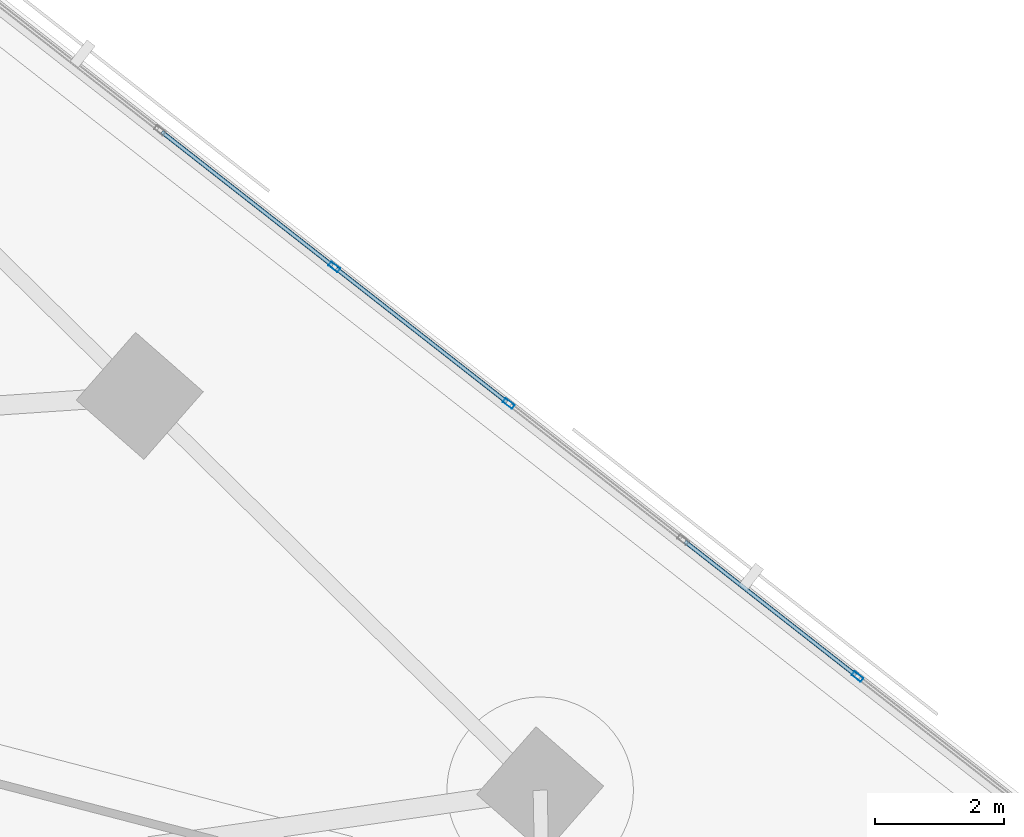
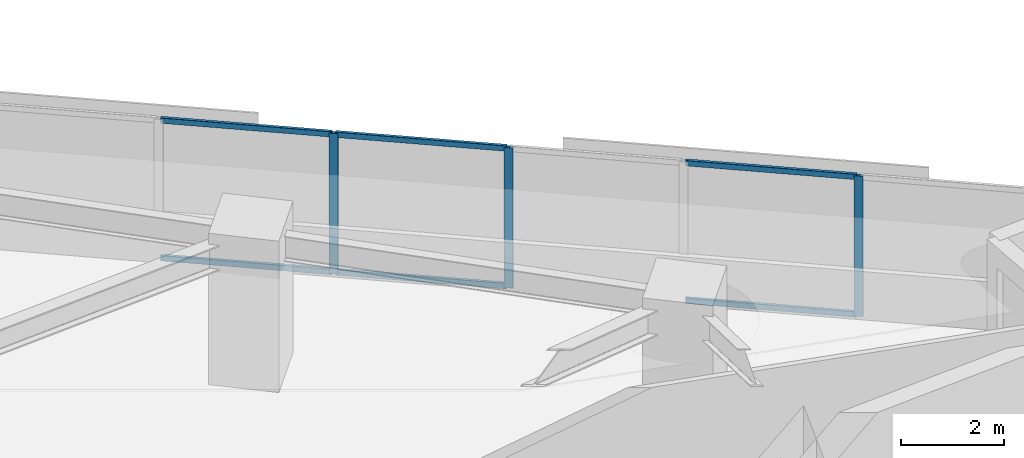
# One storey, part 5 of 16: 9 members, 1 element without a shape of its own.
"""IFC4 building model written with IfcOpenShell, lengths in metres."""

from ifc_helpers import new_model, si_unit, direction, frame, origin, origin_2d, place, context, subcontext, project, spatial, hollow_rectangle, extrude, material, material_profile, profile_set, type_object, element, aggregate, save


model = new_model("IFC4")

# Units and contexts
model_context = context("Model", 3, precision=1e-05, world=origin(), true_north=direction((0.0, 1.0)))
body_context = subcontext(model_context, "Body", "Model", "MODEL_VIEW")
ifc_project = project(units=[si_unit("LENGTHUNIT", "METRE"), si_unit("AREAUNIT", "SQUARE_METRE"), si_unit("VOLUMEUNIT", "CUBIC_METRE"), si_unit("PLANEANGLEUNIT", "RADIAN"), si_unit("MASSUNIT", "GRAM", prefix="KILO")], contexts=[model_context])

# Site, building, storey
site_placement = place(None, origin())
site = spatial("IfcSite", under=ifc_project, at=site_placement, CompositionType="ELEMENT")
building_placement = place(site_placement, origin())
building = spatial("IfcBuilding", under=site, at=building_placement, Name="Narakoshi Arena Tower", CompositionType="ELEMENT")
storey_placement = place(building_placement, frame((0.0, 0.0, 66.89990234375)))
storey = spatial("IfcBuildingStorey", under=building, at=storey_placement, Name="L17", CompositionType="ELEMENT", Elevation=66.89990234375)

# Curtain wall, members
ifc_material = material(Name="Anodised bronze aluminium 6063-T6", Category="aluminium")
curtain_wall_type = type_object("IfcCurtainWallType", Name="CW-HYP-LOW", PredefinedType="NOTDEFINED", material=ifc_material)
curtain_wall_placement = place(storey_placement, origin())
curtain_wall = element("IfcCurtainWall", 1, at=curtain_wall_placement, inside=storey, type_object=curtain_wall_type, Name="L17 Folded Hypotenuse Curtain Wall 1-1", PredefinedType="NOTDEFINED")
ifc_material_profile_1 = material_profile(ifc_material, hollow_rectangle(XDim=0.074951171875, YDim=0.179931640625, WallThickness=0.00390625, OuterFilletRadius=0.0048828125, at=origin_2d()), Name="MUL180x75x4")
ifc_profile_set_1 = profile_set([ifc_material_profile_1], Name="Anodised bronze aluminium 6063-T6")
member_type_1 = type_object("IfcMemberType", Name="MEM-MUL-180", PredefinedType="MULLION", material=ifc_profile_set_1)
member_1_placement = place(storey_placement, frame((118.150634765625, 40.435791015625, 0.0), z_axis=(0.0, 0.0, 1.0), x_axis=(-0.616458234641, -0.787387607817, 0.0)))
member_1 = element("IfcMember", 2, at=member_1_placement, type_object=member_type_1, Name="CW-01 mullion 2", PredefinedType="MULLION", context=body_context, shape_type="SweptSolid", body=[
    extrude(hollow_rectangle(XDim=0.074951171875, YDim=0.179931640625, WallThickness=0.00390625, OuterFilletRadius=0.0048828125, at=origin_2d()), origin(), (0.0, 0.0, 1.0), 3.340087890625),
])
member_2_placement = place(storey_placement, frame((112.7275390625, 44.681640625, 0.0), z_axis=(0.0, 0.0, 1.0), x_axis=(-0.616458234641, -0.787387607817, 0.0)))
member_2 = element("IfcMember", 3, at=member_2_placement, type_object=member_type_1, Name="CW-01 mullion 4", PredefinedType="MULLION", context=body_context, shape_type="SweptSolid", body=[
    extrude(hollow_rectangle(XDim=0.074951171875, YDim=0.179931640625, WallThickness=0.00390625, OuterFilletRadius=0.0048828125, at=origin_2d()), origin(), (0.0, 0.0, 1.0), 3.340087890625),
])
member_3_placement = place(storey_placement, frame((110.015869140625, 46.8046875, 0.0), z_axis=(0.0, 0.0, 1.0), x_axis=(-0.616458234641, -0.787387607817, 0.0)))
member_3 = element("IfcMember", 4, at=member_3_placement, type_object=member_type_1, Name="CW-01 mullion 5", PredefinedType="MULLION", context=body_context, shape_type="SweptSolid", body=[
    extrude(hollow_rectangle(XDim=0.074951171875, YDim=0.179931640625, WallThickness=0.00390625, OuterFilletRadius=0.0048828125, at=origin_2d()), origin(), (0.0, 0.0, 1.0), 3.340087890625),
])
ifc_material_profile_2 = material_profile(ifc_material, hollow_rectangle(XDim=0.06494140625, YDim=0.1298828125, WallThickness=0.00390625, OuterFilletRadius=0.0048828125, at=origin_2d()), Name="TRN130x65x4")
ifc_profile_set_2 = profile_set([ifc_material_profile_2], Name="Anodised bronze aluminium 6063-T6")
member_type_2 = type_object("IfcMemberType", Name="MEM-TRN-130", PredefinedType="USERDEFINED", material=ifc_profile_set_2)
member_4_placement = place(storey_placement, frame((118.12109375, 40.458984375, 0.03271484375), z_axis=(-0.787400998112, 0.616441131149, 0.0), x_axis=(-0.616441131149, -0.787400998112, 0.0)))
member_4 = element("IfcMember", 5, at=member_4_placement, type_object=member_type_2, Name="CW-01 transom 2.1", ObjectType="TRANSOM", PredefinedType="USERDEFINED", context=body_context, shape_type="SweptSolid", body=[
    extrude(hollow_rectangle(XDim=0.06494140625, YDim=0.1298828125, WallThickness=0.00390625, OuterFilletRadius=0.0048828125, at=origin_2d()), origin(), (0.0, 0.0, 1.0), 3.368896484375),
])
member_5_placement = place(storey_placement, frame((118.12109375, 40.458984375, 3.3076171875), z_axis=(-0.787400998112, 0.616441131149, 0.0), x_axis=(-0.616441131149, -0.787400998112, 0.0)))
member_5 = element("IfcMember", 6, at=member_5_placement, type_object=member_type_2, Name="CW-01 transom 2.2", ObjectType="TRANSOM", PredefinedType="USERDEFINED", context=body_context, shape_type="SweptSolid", body=[
    extrude(hollow_rectangle(XDim=0.06494140625, YDim=0.1298828125, WallThickness=0.00390625, OuterFilletRadius=0.0048828125, at=origin_2d()), origin(), (0.0, 0.0, 1.0), 3.368896484375),
])
member_6_placement = place(storey_placement, frame((112.697998046875, 44.704833984375, 0.03271484375), z_axis=(-0.787400998112, 0.616441131149, 0.0), x_axis=(-0.616441131149, -0.787400998112, 0.0)))
member_6 = element("IfcMember", 7, at=member_6_placement, type_object=member_type_2, Name="CW-01 transom 4.1", ObjectType="TRANSOM", PredefinedType="USERDEFINED", context=body_context, shape_type="SweptSolid", body=[
    extrude(hollow_rectangle(XDim=0.06494140625, YDim=0.1298828125, WallThickness=0.00390625, OuterFilletRadius=0.0048828125, at=origin_2d()), origin(), (0.0, 0.0, 1.0), 3.368896484375),
])
member_7_placement = place(storey_placement, frame((112.697998046875, 44.704833984375, 3.3076171875), z_axis=(-0.787400998112, 0.616441131149, 0.0), x_axis=(-0.616441131149, -0.787400998112, 0.0)))
member_7 = element("IfcMember", 8, at=member_7_placement, type_object=member_type_2, Name="CW-01 transom 4.2", ObjectType="TRANSOM", PredefinedType="USERDEFINED", context=body_context, shape_type="SweptSolid", body=[
    extrude(hollow_rectangle(XDim=0.06494140625, YDim=0.1298828125, WallThickness=0.00390625, OuterFilletRadius=0.0048828125, at=origin_2d()), origin(), (0.0, 0.0, 1.0), 3.368896484375),
])
member_8_placement = place(storey_placement, frame((109.986328125, 46.827880859375, 0.03271484375), z_axis=(-0.787373456673, 0.616476309137, 0.0), x_axis=(-0.616476309137, -0.787373456673, 0.0)))
member_8 = element("IfcMember", 9, at=member_8_placement, type_object=member_type_2, Name="CW-01 transom 5.1", ObjectType="TRANSOM", PredefinedType="USERDEFINED", context=body_context, shape_type="SweptSolid", body=[
    extrude(hollow_rectangle(XDim=0.06494140625, YDim=0.1298828125, WallThickness=0.00390625, OuterFilletRadius=0.0048828125, at=origin_2d()), origin(), (0.0, 0.0, 1.0), 3.36865234375),
])
member_9_placement = place(storey_placement, frame((109.986328125, 46.827880859375, 3.3076171875), z_axis=(-0.787373456673, 0.616476309137, 0.0), x_axis=(-0.616476309137, -0.787373456673, 0.0)))
member_9 = element("IfcMember", 10, at=member_9_placement, type_object=member_type_2, Name="CW-01 transom 5.2", ObjectType="TRANSOM", PredefinedType="USERDEFINED", context=body_context, shape_type="SweptSolid", body=[
    extrude(hollow_rectangle(XDim=0.06494140625, YDim=0.1298828125, WallThickness=0.00390625, OuterFilletRadius=0.0048828125, at=origin_2d()), origin(), (0.0, 0.0, 1.0), 3.36865234375),
])
aggregate(curtain_wall, [member_1, member_2, member_3, member_4, member_5, member_6, member_7, member_8, member_9])

save(model, "model.ifc")
